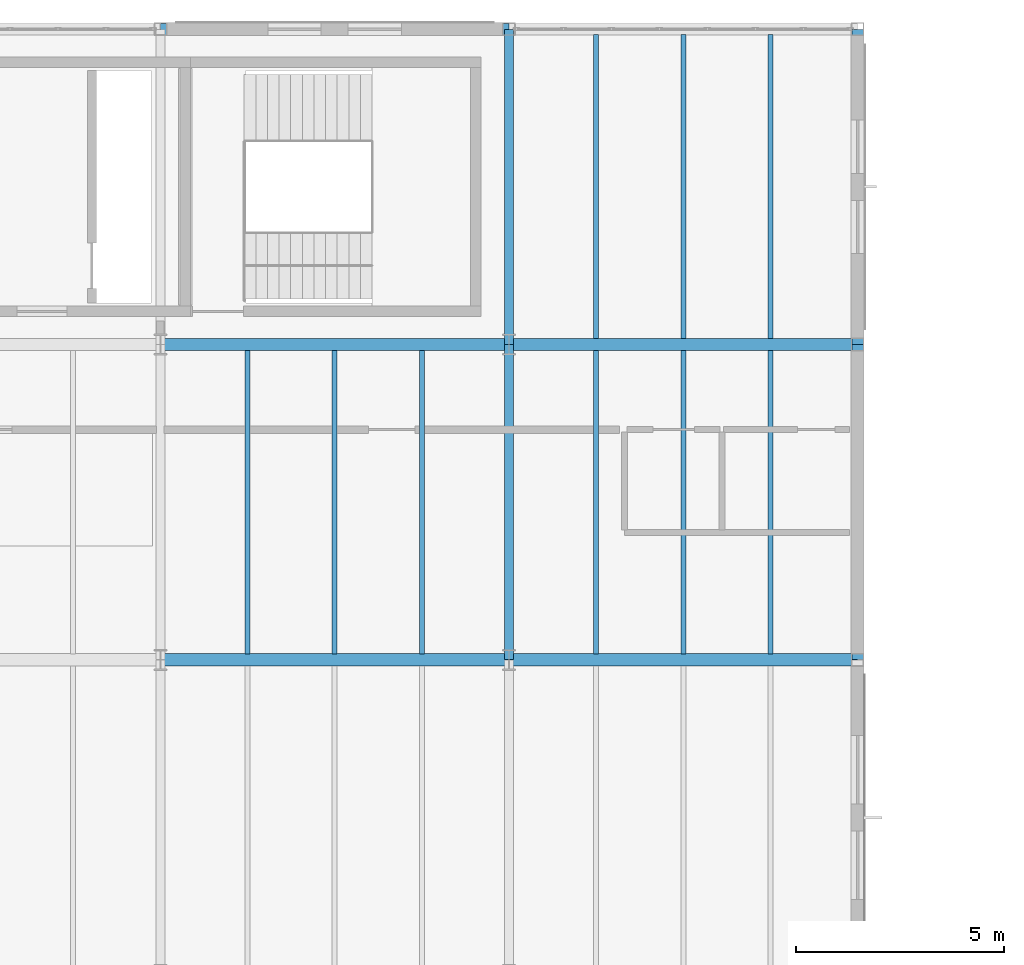
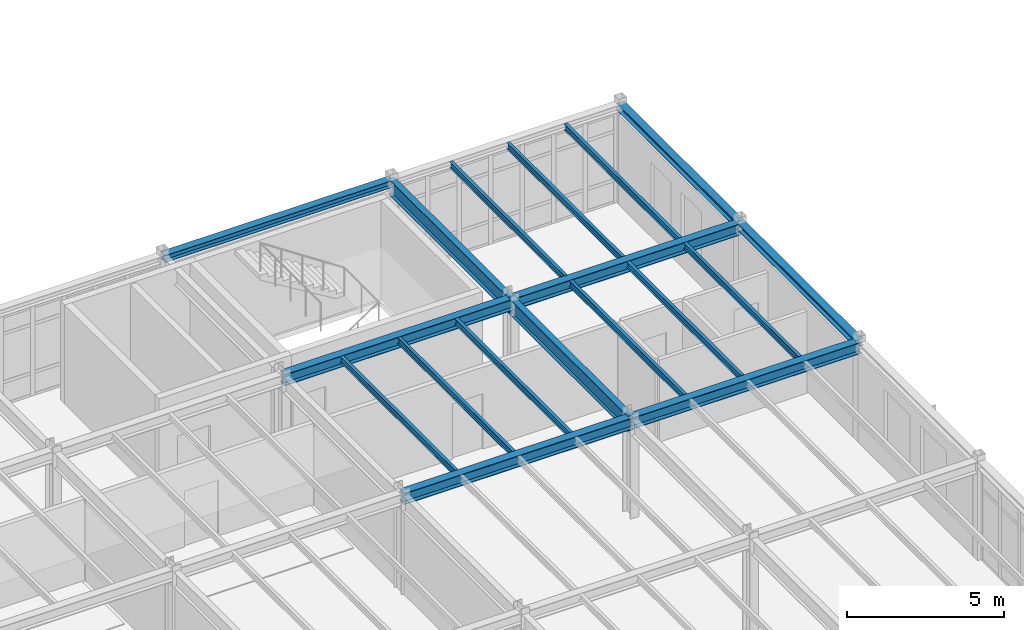
# One storey, part 93 of 165: 18 beams.
"""IFC4 building model written with IfcOpenShell, lengths in metres."""

from ifc_helpers import new_model, si_unit, direction, frame, origin, origin_2d, place, context, subcontext, project, spatial, i_section, extrude, material, material_profile, profile_set, type_object, element, save


model = new_model("IFC4")

# Units and contexts
model_context = context("Model", 3, precision=1e-05, world=origin(), true_north=direction((0.0, 1.0)))
body_context = subcontext(model_context, "Body", "Model", "MODEL_VIEW")
ifc_project = project(units=[si_unit("LENGTHUNIT", "METRE"), si_unit("AREAUNIT", "SQUARE_METRE"), si_unit("VOLUMEUNIT", "CUBIC_METRE"), si_unit("PLANEANGLEUNIT", "RADIAN"), si_unit("MASSUNIT", "GRAM", prefix="KILO")], contexts=[model_context])

# Site, building, storey
site_placement = place(None, origin())
site = spatial("IfcSite", under=ifc_project, at=site_placement, CompositionType="ELEMENT")
building_placement = place(site_placement, origin())
building = spatial("IfcBuilding", under=site, at=building_placement, Name="Montecoro Central Library", CompositionType="ELEMENT")
storey_placement = place(building_placement, frame((0.0, 0.0, 5.10009765625)))
storey = spatial("IfcBuildingStorey", under=building, at=storey_placement, Name="L01", CompositionType="ELEMENT", Elevation=5.10009765625)

# Beams
ifc_material_1 = material(Name="Steel S355J2", Category="steel")
ifc_material_profile_1 = material_profile(ifc_material_1, i_section(OverallWidth=0.300048828125, OverallDepth=0.43994140625, WebThickness=0.011474609375, FlangeThickness=0.02099609375, at=origin_2d()), Name="HEA 450")
ifc_profile_set_1 = profile_set([ifc_material_profile_1], Name="Steel S355J2")
beam_type_1 = type_object("IfcBeamType", Name="BM-G-HEA450", PredefinedType="USERDEFINED", material=ifc_profile_set_1)
beam_1_placement = place(storey_placement, frame((100.0048828125, 103.800048828125, 3.60498046875), z_axis=(1.0, 0.0, 0.0), x_axis=(0.0, 1.0, 0.0)))
element("IfcBeam", 1, at=beam_1_placement, inside=storey, type_object=beam_type_1, Name="V2-L01-BX-1314-P", ObjectType="GIRDER", PredefinedType="USERDEFINED", context=body_context, shape_type="SweptSolid", body=[
    extrude(i_section(OverallWidth=0.300048828125, OverallDepth=0.43994140625, WebThickness=0.011474609375, FlangeThickness=0.02099609375, at=origin_2d()), origin(), (0.0, 0.0, 1.0), 8.39013671875),
])
beam_2_placement = place(storey_placement, frame((108.405029296875, 103.800048828125, 3.60498046875), z_axis=(1.0, 0.0, 0.0), x_axis=(0.0, 1.0, 0.0)))
element("IfcBeam", 2, at=beam_2_placement, inside=storey, type_object=beam_type_1, Name="V2-L01-BX-1415-P", ObjectType="GIRDER", PredefinedType="USERDEFINED", context=body_context, shape_type="SweptSolid", body=[
    extrude(i_section(OverallWidth=0.300048828125, OverallDepth=0.43994140625, WebThickness=0.011474609375, FlangeThickness=0.02099609375, at=origin_2d()), origin(), (0.0, 0.0, 1.0), 8.389892578125),
])
beam_3_placement = place(storey_placement, frame((100.0048828125, 111.39990234375, 3.60498046875), z_axis=(1.0, 0.0, 0.0), x_axis=(0.0, 1.0, 0.0)))
element("IfcBeam", 3, at=beam_3_placement, inside=storey, type_object=beam_type_1, Name="V2-L01-BX-1314-Q", ObjectType="GIRDER", PredefinedType="USERDEFINED", context=body_context, shape_type="SweptSolid", body=[
    extrude(i_section(OverallWidth=0.300048828125, OverallDepth=0.43994140625, WebThickness=0.011474609375, FlangeThickness=0.02099609375, at=origin_2d()), origin(), (0.0, 0.0, 1.0), 8.39013671875),
])
beam_4_placement = place(storey_placement, frame((108.405029296875, 111.39990234375, 3.60498046875), z_axis=(1.0, 0.0, 0.0), x_axis=(0.0, 1.0, 0.0)))
element("IfcBeam", 4, at=beam_4_placement, inside=storey, type_object=beam_type_1, Name="V2-L01-BX-1415-Q", ObjectType="GIRDER", PredefinedType="USERDEFINED", context=body_context, shape_type="SweptSolid", body=[
    extrude(i_section(OverallWidth=0.300048828125, OverallDepth=0.43994140625, WebThickness=0.011474609375, FlangeThickness=0.02099609375, at=origin_2d()), origin(), (0.0, 0.0, 1.0), 8.389892578125),
])
ifc_material_profile_2 = material_profile(ifc_material_1, i_section(OverallWidth=0.219970703125, OverallDepth=0.60009765625, WebThickness=0.011962890625, FlangeThickness=0.01904296875, at=origin_2d()), Name="IPE 600")
ifc_profile_set_2 = profile_set([ifc_material_profile_2], Name="Steel S355J2")
beam_type_2 = type_object("IfcBeamType", Name="BM-G-IPE600", PredefinedType="USERDEFINED", material=ifc_profile_set_2)
for number, where, z_axis, x_axis, name in (
    (5, (108.39990234375, 103.804931640625, 3.52490234375), (0.0, 1.0, 0.0), (-1.0, 0.0, 0.0), "V2-L01-BY-14-PQ"),
    (6, (108.39990234375, 111.405029296875, 3.52490234375), (0.0, 1.0, 0.0), (-1.0, 0.0, 0.0), "V2-L01-BY-14-QR"),
):
    element("IfcBeam", number, at=place(storey_placement, frame(where, z_axis=z_axis, x_axis=x_axis)), inside=storey, type_object=beam_type_2, Name=name, ObjectType="GIRDER", PredefinedType="USERDEFINED", context=body_context, shape_type="SweptSolid", body=[
        extrude(i_section(OverallWidth=0.219970703125, OverallDepth=0.60009765625, WebThickness=0.011962890625, FlangeThickness=0.01904296875, at=origin_2d()), origin(), (0.0, 0.0, 1.0), 7.590087890625),
    ])
ifc_material_2 = material(Name="Steel S355", Category="steel")
ifc_material_profile_3 = material_profile(ifc_material_2, i_section(OverallWidth=0.1201171875, OverallDepth=0.239990234375, WebThickness=0.006103515625, FlangeThickness=0.009765625, at=origin_2d()), Name="IPE 240")
ifc_profile_set_3 = profile_set([ifc_material_profile_3], Name="Steel S355")
beam_type_3 = type_object("IfcBeamType", Name="BM-J-IPE240", PredefinedType="JOIST", material=ifc_profile_set_3)
for number, where, z_axis, x_axis, name in (
    (7, (102.10009765625, 103.947021484375, 3.704833984375), (0.0, 1.0, 0.0), (-1.0, 0.0, 0.0), "V2-L01-JS-1314-PQ-1"),
    (8, (104.199951171875, 103.947021484375, 3.704833984375), (0.0, 1.0, 0.0), (-1.0, 0.0, 0.0), "V2-L01-JS-1314-PQ-2"),
    (9, (106.300048828125, 103.947021484375, 3.704833984375), (0.0, 1.0, 0.0), (-1.0, 0.0, 0.0), "V2-L01-JS-1314-PQ-3"),
    (10, (110.5, 103.947021484375, 3.704833984375), (0.0, 1.0, 0.0), (-1.0, 0.0, 0.0), "V2-L01-JS-1415-PQ-1"),
    (11, (112.60009765625, 103.947021484375, 3.704833984375), (0.0, 1.0, 0.0), (-1.0, 0.0, 0.0), "V2-L01-JS-1415-PQ-2"),
    (12, (114.699951171875, 103.947021484375, 3.704833984375), (0.0, 1.0, 0.0), (-1.0, 0.0, 0.0), "V2-L01-JS-1415-PQ-3"),
):
    element("IfcBeam", number, at=place(storey_placement, frame(where, z_axis=z_axis, x_axis=x_axis)), inside=storey, type_object=beam_type_3, Name=name, PredefinedType="JOIST", context=body_context, shape_type="SweptSolid", body=[
        extrude(i_section(OverallWidth=0.1201171875, OverallDepth=0.239990234375, WebThickness=0.006103515625, FlangeThickness=0.009765625, at=origin_2d()), origin(), (0.0, 0.0, 1.0), 7.305908203125),
    ])
for number, where, z_axis, x_axis, name in (
    (13, (110.5, 111.547119140625, 3.704833984375), (0.0, 1.0, 0.0), (-1.0, 0.0, 0.0), "V2-L01-JS-1415-QR-1"),
    (14, (112.60009765625, 111.547119140625, 3.704833984375), (0.0, 1.0, 0.0), (-1.0, 0.0, 0.0), "V2-L01-JS-1415-QR-2"),
    (15, (114.699951171875, 111.547119140625, 3.704833984375), (0.0, 1.0, 0.0), (-1.0, 0.0, 0.0), "V2-L01-JS-1415-QR-3"),
):
    element("IfcBeam", number, at=place(storey_placement, frame(where, z_axis=z_axis, x_axis=x_axis)), inside=storey, type_object=beam_type_3, Name=name, PredefinedType="JOIST", context=body_context, shape_type="SweptSolid", body=[
        extrude(i_section(OverallWidth=0.1201171875, OverallDepth=0.239990234375, WebThickness=0.006103515625, FlangeThickness=0.009765625, at=origin_2d()), origin(), (0.0, 0.0, 1.0), 7.31591796875),
    ])
ifc_material_profile_4 = material_profile(ifc_material_2, i_section(OverallWidth=0.280029296875, OverallDepth=0.27001953125, WebThickness=0.008056640625, FlangeThickness=0.012939453125, at=origin_2d()), Name="HEA 280")
ifc_profile_set_4 = profile_set([ifc_material_profile_4], Name="Steel S355")
beam_type_4 = type_object("IfcBeamType", Name="BM-SP-HEA280", PredefinedType="SPANDREL", material=ifc_profile_set_4)
beam_5_placement = place(storey_placement, frame((100.0048828125, 119.0, 3.68994140625), z_axis=(1.0, 0.0, 0.0), x_axis=(0.0, 1.0, 0.0)))
element("IfcBeam", 16, at=beam_5_placement, inside=storey, type_object=beam_type_4, Name="V2-L01-BX-1314-R", PredefinedType="SPANDREL", context=body_context, shape_type="SweptSolid", body=[
    extrude(i_section(OverallWidth=0.280029296875, OverallDepth=0.27001953125, WebThickness=0.008056640625, FlangeThickness=0.012939453125, at=origin_2d()), origin(), (0.0, 0.0, 1.0), 8.39013671875),
])
for number, where, z_axis, x_axis, name in (
    (17, (116.800048828125, 103.804931640625, 3.68994140625), (0.0, 1.0, 0.0), (-1.0, 0.0, 0.0), "V2-L01-BY-15-PQ"),
    (18, (116.800048828125, 111.405029296875, 3.68994140625), (0.0, 1.0, 0.0), (-1.0, 0.0, 0.0), "V2-L01-BY-15-QR"),
):
    element("IfcBeam", number, at=place(storey_placement, frame(where, z_axis=z_axis, x_axis=x_axis)), inside=storey, type_object=beam_type_4, Name=name, PredefinedType="SPANDREL", context=body_context, shape_type="SweptSolid", body=[
        extrude(i_section(OverallWidth=0.280029296875, OverallDepth=0.27001953125, WebThickness=0.008056640625, FlangeThickness=0.012939453125, at=origin_2d()), origin(), (0.0, 0.0, 1.0), 7.590087890625),
    ])

save(model, "model.ifc")
